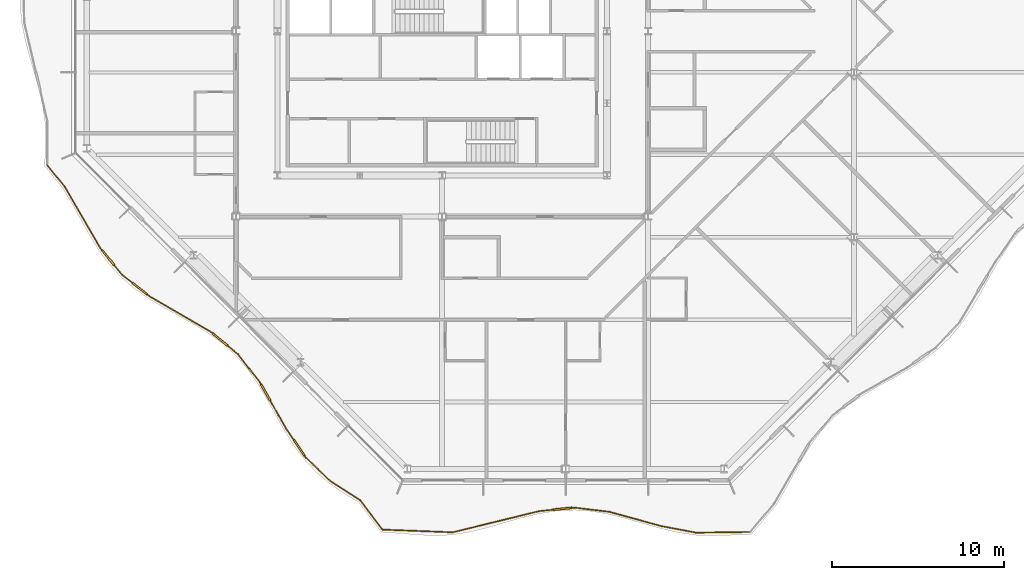
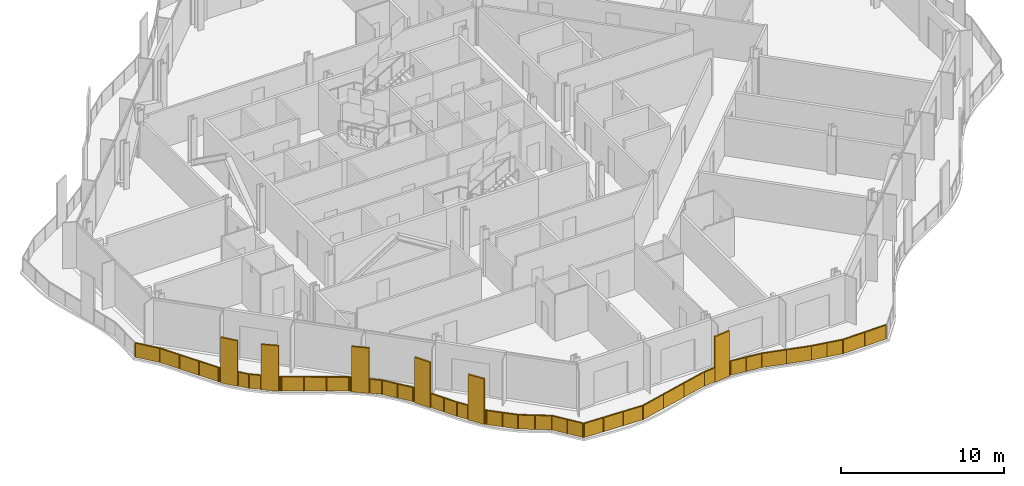
# One storey, part 13 of 17: 2 railings.
"""IFC4 building model written with IfcOpenShell, lengths in metres."""

import ifcopenshell
import ifcopenshell.guid

model = None  # the IFC model being written
_history = None  # IfcOwnerHistory: only IFC2X3 demands one
_inside = {}  # id of a spatial element -> (the spatial element, [elements in it])
_under = {}  # id of a project, library or spatial element -> (it, [spatial elements below it])
_declared = {}  # id of a project -> (the project, [libraries it declares])
_typed = {}  # id of a type object -> (the type object, [elements of that type])
_made_of = {}  # id of a material, layer set ... -> (it, [elements and type objects made of it])


def new_model(schema):
    """Start an empty IFC model of exactly this schema.

    Asked for "IFC4X3", IfcOpenShell would pick the latest addendum, in which some entities
    have other attributes; the version numbers below select the first issue.
    IFC2X3 requires an IfcOwnerHistory on every rooted entity: one is made here for all.
    """
    global model, _history
    if schema == "IFC4X3":
        model = ifcopenshell.file(schema_version=(4, 3, 0, 0))
    else:
        model = ifcopenshell.file(schema=schema)
    _inside.clear()
    _under.clear()
    _declared.clear()
    _typed.clear()
    _made_of.clear()
    _history = None
    if model.schema == "IFC2X3":
        org = make("IfcOrganization", Name="unknown")
        user = make(
            "IfcPersonAndOrganization",
            ThePerson=make("IfcPerson", FamilyName="unknown"),
            TheOrganization=org,
        )
        app = make(
            "IfcApplication",
            ApplicationDeveloper=org,
            Version="unknown",
            ApplicationFullName="unknown",
            ApplicationIdentifier="unknown",
        )
        _history = make(
            "IfcOwnerHistory",
            OwningUser=user,
            OwningApplication=app,
            ChangeAction="ADDED",
            CreationDate=0,
        )
    return model


def make(cls, **values):
    """One entity of the class cls with the attributes given. An attribute that is None is left unset."""
    return model.create_entity(
        cls, **{name: value for name, value in values.items() if value is not None}
    )


def rooted(cls, **values):
    """An entity with a GlobalId (a new one), such as an element, a storey or a relation."""
    return make(cls, GlobalId=ifcopenshell.guid.new(), OwnerHistory=_history, **values)


def si_unit(unit_type, name, prefix=None):
    """IfcSIUnit, for example si_unit("LENGTHUNIT", "METRE", prefix="MILLI")."""
    return make("IfcSIUnit", UnitType=unit_type, Prefix=prefix, Name=name)


def assignment(units):
    """IfcUnitAssignment: the units of a project."""
    return None if units is None else make("IfcUnitAssignment", Units=units)


def point(xyz):
    """IfcCartesianPoint."""
    return None if xyz is None else make("IfcCartesianPoint", Coordinates=xyz)


def direction(xyz):
    """IfcDirection."""
    return None if xyz is None else make("IfcDirection", DirectionRatios=xyz)


def frame(location, z_axis=None, x_axis=None):
    """IfcAxis2Placement3D, a coordinate frame: its origin and axes. An axis left out is left unset."""
    return make(
        "IfcAxis2Placement3D",
        Location=point(location),
        Axis=direction(z_axis),
        RefDirection=direction(x_axis),
    )


def frame_2d(location, x_axis=None):
    """IfcAxis2Placement2D, a coordinate frame in the plane: its origin and x axis."""
    return make(
        "IfcAxis2Placement2D", Location=point(location), RefDirection=direction(x_axis)
    )


def origin():
    """The frame at (0, 0, 0) with its axes left unset."""
    return frame((0.0, 0.0, 0.0))


def origin_2d():
    """The frame at (0, 0) in the plane with its x axis left unset."""
    return frame_2d((0.0, 0.0))


def place(relative_to, where):
    """IfcLocalPlacement: puts the frame where relative to a parent placement (None: the world)."""
    return make(
        "IfcLocalPlacement", PlacementRelTo=relative_to, RelativePlacement=where
    )


def context(
    kind, dimensions, precision=None, world=None, true_north=None, identifier=None
):
    """IfcGeometricRepresentationContext, for example the 3D "Model" context."""
    return make(
        "IfcGeometricRepresentationContext",
        ContextIdentifier=identifier,
        ContextType=kind,
        CoordinateSpaceDimension=dimensions,
        Precision=precision,
        WorldCoordinateSystem=world,
        TrueNorth=true_north,
    )


def subcontext(parent, identifier, kind, view, scale=None):
    """IfcGeometricRepresentationSubContext, for example "Body" below "Model"."""
    return make(
        "IfcGeometricRepresentationSubContext",
        ContextIdentifier=identifier,
        ContextType=kind,
        ParentContext=parent,
        TargetScale=scale,
        TargetView=view,
    )


def project(units=None, contexts=None):
    """IfcProject with its units and contexts."""
    return rooted(
        "IfcProject",
        Name="project",
        RepresentationContexts=contexts,
        UnitsInContext=assignment(units),
    )


def spatial(cls, under=None, at=None, **own):
    """A site, building, storey or space (cls), placed at a placement, below another one or the project."""
    s = rooted(cls, ObjectPlacement=at, **own)
    if under is not None:
        _under.setdefault(under.id(), (under, []))[1].append(s)
    return s


def polyline(points):
    """IfcPolyline through the points."""
    return make("IfcPolyline", Points=[point(p) for p in points])


def profile(cls, at=None, kind="AREA", **sizes):
    """A parametric profile (cls). Its sizes go by their IFC names, for example OverallWidth=200.0."""
    return make(cls, ProfileType=kind, Position=at, **sizes)


def rectangle(**sizes):
    """IfcRectangleProfileDef."""
    return profile("IfcRectangleProfileDef", **sizes)


def outline(outer, holes=None, kind="AREA"):
    """IfcArbitraryClosedProfileDef: a profile drawn as a closed curve; with holes, ...WithVoids."""
    if holes is None:
        return make("IfcArbitraryClosedProfileDef", ProfileType=kind, OuterCurve=outer)
    return make(
        "IfcArbitraryProfileDefWithVoids",
        ProfileType=kind,
        OuterCurve=outer,
        InnerCurves=holes,
    )


def extrude(swept, where, along, depth):
    """IfcExtrudedAreaSolid: the profile swept, set in the frame where, extruded along a direction by depth."""
    return make(
        "IfcExtrudedAreaSolid",
        SweptArea=swept,
        Position=where,
        ExtrudedDirection=direction(along),
        Depth=depth,
    )


def shape(context_of_items, identifier, shape_type, items):
    """IfcShapeRepresentation: the items that make up one representation, for example the "Body"."""
    return make(
        "IfcShapeRepresentation",
        ContextOfItems=context_of_items,
        RepresentationIdentifier=identifier,
        RepresentationType=shape_type,
        Items=items,
    )


def material(Name=None, Category=None):
    """IfcMaterial."""
    return make("IfcMaterial", Name=Name, Category=Category)


def made_of(thing, what):
    """Note that an element or type object is made of a material, layer set ...; save() writes the relation."""
    if what is not None:
        _made_of.setdefault(what.id(), (what, []))[1].append(thing)
    return thing


def type_object(cls, material=None, **own):
    """A type object (cls), such as IfcWallType, which elements share."""
    return made_of(rooted(cls, **own), material)


def element(
    cls,
    number,
    at=None,
    inside=None,
    cuts=None,
    type_object=None,
    material=None,
    context=None,
    identifier="Body",
    shape_type=None,
    held_by="IfcProductDefinitionShape",
    body=None,
    shapes=None,
    **own,
):
    """One element of the class cls, such as IfcWall. Its Tag is "e" and its number.

    at: its placement. inside: the storey or other place that contains it. cuts: it is an
    opening in that element (IfcRelVoidsElement). A single representation is given by context,
    identifier, shape_type and body (its items); several are given by shapes. held_by: the class
    of the entity that holds the representations. save() writes the other relations.
    """
    e = rooted(cls, Tag="e%d" % number, ObjectPlacement=at, **own)
    if body is not None:
        shapes = [shape(context, identifier, shape_type, body)]
    if shapes is not None:
        e.Representation = make(held_by, Representations=shapes)
    if inside is not None:
        _inside.setdefault(inside.id(), (inside, []))[1].append(e)
    if cuts is not None:
        rooted(
            "IfcRelVoidsElement", RelatingBuildingElement=cuts, RelatedOpeningElement=e
        )
    if type_object is not None:
        _typed.setdefault(type_object.id(), (type_object, []))[1].append(e)
    return made_of(e, material)


def aggregate(whole, parts):
    """IfcRelAggregates: a whole, such as a stair, and the parts it consists of."""
    return rooted("IfcRelAggregates", RelatingObject=whole, RelatedObjects=parts)


def save(model, path):
    """Write the relations noted so far, then the file.

    IfcRelAggregates (storeys below a building ...), IfcRelContainedInSpatialStructure (elements
    in a storey), IfcRelDefinesByType, IfcRelAssociatesMaterial and IfcRelDeclares: one each for
    every whole, place, type object, material and project.
    """
    for whole, parts in _under.values():
        aggregate(whole, parts)
    for where, things in _inside.values():
        rooted(
            "IfcRelContainedInSpatialStructure",
            RelatedElements=things,
            RelatingStructure=where,
        )
    for kind, things in _typed.values():
        rooted("IfcRelDefinesByType", RelatedObjects=things, RelatingType=kind)
    for what, things in _made_of.values():
        rooted("IfcRelAssociatesMaterial", RelatedObjects=things, RelatingMaterial=what)
    for by, libraries in _declared.values():
        rooted("IfcRelDeclares", RelatingContext=by, RelatedDefinitions=libraries)
    model.write(path)


model = new_model("IFC4")

# Units and contexts
model_context = context("Model", 3, precision=1e-05, world=origin(), true_north=direction((0.0, 1.0)))
body_context = subcontext(model_context, "Body", "Model", "MODEL_VIEW")
ifc_project = project(units=[si_unit("LENGTHUNIT", "METRE"), si_unit("AREAUNIT", "SQUARE_METRE"), si_unit("VOLUMEUNIT", "CUBIC_METRE"), si_unit("PLANEANGLEUNIT", "RADIAN"), si_unit("MASSUNIT", "GRAM", prefix="KILO")], contexts=[model_context])

# Site, building, storey
site_placement = place(None, origin())
site = spatial("IfcSite", under=ifc_project, at=site_placement, CompositionType="ELEMENT")
building_placement = place(site_placement, origin())
building = spatial("IfcBuilding", under=site, at=building_placement, Name="Cairn Pilgrim Tower", CompositionType="ELEMENT")
storey_placement = place(building_placement, frame((0.0, 0.0, 225.0)))
storey = spatial("IfcBuildingStorey", under=building, at=storey_placement, Name="L57", CompositionType="ELEMENT", Elevation=225.0)

# Railings
ifc_material = material(Name="Bronze anodised aluminium rail, posts and fin screens with laminated glass infill", Category="aluminium")
railing_type = type_object("IfcRailingType", Name="BALCONY GUARD WITH FIN SCREENS", PredefinedType="GUARDRAIL", material=ifc_material)
railing_1_placement = place(storey_placement, frame((3.72509765625, -26.633056640625, 0.0)))
element("IfcRailing", 1, at=railing_1_placement, inside=storey, type_object=railing_type, Name="Balcony guard BGF-1 with fin screens", PredefinedType="GUARDRAIL", context=body_context, shape_type="SweptSolid", body=[
    extrude(rectangle(XDim=0.050048828125, YDim=0.050048828125, at=origin_2d()), frame((0.0, 0.0, 1.0751953125), z_axis=(0.999278337435, -0.037984264288, 0.0), x_axis=(0.037984264288, 0.999278337435, 0.0)), (0.0, 0.0, 1.0), 4.09423828125),
    extrude(rectangle(XDim=0.050048828125, YDim=0.050048828125, at=origin_2d()), frame((4.09130859375, -0.155517578125, 1.0751953125), z_axis=(0.971320368438, 0.237774560997, 0.0), x_axis=(-0.237774560997, 0.971320368438, 0.0)), (0.0, 0.0, 1.0), 5.19140625),
    extrude(rectangle(XDim=1.10009765625, YDim=0.110107421875, at=origin_2d()), frame((10.4853515625, 1.213623046875, 0.0), z_axis=(0.0, 0.0, 1.0), x_axis=(0.995059478864, 0.099280579784, 0.0)), (0.0, 0.0, 1.0), 3.39990234375),
    extrude(rectangle(XDim=0.050048828125, YDim=0.050048828125, at=origin_2d()), frame((9.1337890625, 1.078857421875, 1.0751953125), z_axis=(0.995059478864, 0.099280579784, 0.0), x_axis=(-0.099280579784, 0.995059478864, 0.0)), (0.0, 0.0, 1.0), 0.80810546875),
    extrude(rectangle(XDim=0.050048828125, YDim=0.050048828125, at=origin_2d()), frame((11.032470703125, 1.268310546875, 1.0751953125), z_axis=(0.995059478864, 0.099280579784, 0.0), x_axis=(-0.099280579784, 0.995059478864, 0.0)), (0.0, 0.0, 1.0), 0.150146484375),
    extrude(rectangle(XDim=0.050048828125, YDim=0.050048828125, at=origin_2d()), frame((11.181884765625, 1.283203125, 1.0751953125), z_axis=(0.992676707489, -0.120801301352, 0.0), x_axis=(0.120801301352, 0.992676707489, 0.0)), (0.0, 0.0, 1.0), 2.0634765625),
    extrude(rectangle(XDim=0.050048828125, YDim=0.050048828125, at=origin_2d()), frame((13.230224609375, 1.033935546875, 1.0751953125), z_axis=(0.964288105644, -0.264855525358, 0.0), x_axis=(0.264855525358, 0.964288105644, 0.0)), (0.0, 0.0, 1.0), 3.14892578125),
    extrude(rectangle(XDim=0.050048828125, YDim=0.050048828125, at=origin_2d()), frame((16.2666015625, 0.199951171875, 1.0751953125), z_axis=(0.982592736091, -0.18577275091, 0.0), x_axis=(0.18577275091, 0.982592736091, 0.0)), (0.0, 0.0, 1.0), 2.03564453125),
    extrude(rectangle(XDim=0.050048828125, YDim=0.050048828125, at=origin_2d()), frame((18.266845703125, -0.17822265625, 1.0751953125), z_axis=(0.999910672549, 0.013365886551, 0.0), x_axis=(-0.013365886551, 0.999910672549, 0.0)), (0.0, 0.0, 1.0), 3.0869140625),
    extrude(rectangle(XDim=0.050048828125, YDim=0.050048828125, at=origin_2d()), origin(), (0.0, 0.0, 1.0), 1.050048828125),
    extrude(rectangle(XDim=0.050048828125, YDim=0.050048828125, at=origin_2d()), frame((1.36376953125, -0.0517578125, 0.0)), (0.0, 0.0, 1.0), 1.050048828125),
    extrude(rectangle(XDim=0.050048828125, YDim=0.050048828125, at=origin_2d()), frame((2.7275390625, -0.103759765625, 0.0)), (0.0, 0.0, 1.0), 1.050048828125),
    extrude(rectangle(XDim=0.050048828125, YDim=0.050048828125, at=origin_2d()), frame((4.09130859375, -0.155517578125, 0.0)), (0.0, 0.0, 1.0), 1.050048828125),
    extrude(rectangle(XDim=0.050048828125, YDim=0.050048828125, at=origin_2d()), frame((5.772216796875, 0.255859375, 0.0)), (0.0, 0.0, 1.0), 1.050048828125),
    extrude(rectangle(XDim=0.050048828125, YDim=0.050048828125, at=origin_2d()), frame((7.452880859375, 0.66748046875, 0.0)), (0.0, 0.0, 1.0), 1.050048828125),
    extrude(rectangle(XDim=0.050048828125, YDim=0.050048828125, at=origin_2d()), frame((9.1337890625, 1.078857421875, 0.0)), (0.0, 0.0, 1.0), 1.050048828125),
    extrude(rectangle(XDim=0.050048828125, YDim=0.050048828125, at=origin_2d()), frame((9.9130859375, 1.156494140625, 0.0)), (0.0, 0.0, 1.0), 1.050048828125),
    extrude(rectangle(XDim=0.050048828125, YDim=0.050048828125, at=origin_2d()), frame((11.057373046875, 1.270751953125, 0.0)), (0.0, 0.0, 1.0), 1.050048828125),
    extrude(rectangle(XDim=0.050048828125, YDim=0.050048828125, at=origin_2d()), frame((11.181884765625, 1.283203125, 0.0)), (0.0, 0.0, 1.0), 1.050048828125),
    extrude(rectangle(XDim=0.050048828125, YDim=0.050048828125, at=origin_2d()), frame((12.2060546875, 1.15869140625, 0.0)), (0.0, 0.0, 1.0), 1.050048828125),
    extrude(rectangle(XDim=0.050048828125, YDim=0.050048828125, at=origin_2d()), frame((13.230224609375, 1.033935546875, 0.0)), (0.0, 0.0, 1.0), 1.050048828125),
    extrude(rectangle(XDim=0.050048828125, YDim=0.050048828125, at=origin_2d()), frame((14.74853515625, 0.616943359375, 0.0)), (0.0, 0.0, 1.0), 1.050048828125),
    extrude(rectangle(XDim=0.050048828125, YDim=0.050048828125, at=origin_2d()), frame((16.2666015625, 0.199951171875, 0.0)), (0.0, 0.0, 1.0), 1.050048828125),
    extrude(rectangle(XDim=0.050048828125, YDim=0.050048828125, at=origin_2d()), frame((17.2666015625, 0.0107421875, 0.0)), (0.0, 0.0, 1.0), 1.050048828125),
    extrude(rectangle(XDim=0.050048828125, YDim=0.050048828125, at=origin_2d()), frame((18.266845703125, -0.17822265625, 0.0)), (0.0, 0.0, 1.0), 1.050048828125),
    extrude(rectangle(XDim=0.050048828125, YDim=0.050048828125, at=origin_2d()), frame((19.81005859375, -0.15771484375, 0.0)), (0.0, 0.0, 1.0), 1.050048828125),
    extrude(rectangle(XDim=0.050048828125, YDim=0.050048828125, at=origin_2d()), frame((21.353515625, -0.136962890625, 0.0)), (0.0, 0.0, 1.0), 1.050048828125),
    extrude(outline(polyline([(0.02490234375, 0.0), (1.33984375, 0.0), (1.33984375, 1.050048828125), (0.02490234375, 1.050048828125), (0.02490234375, 0.0)])), frame((0.000244140625, 0.005859375, 0.0), z_axis=(-0.037984264288, -0.999278337435, 0.0), x_axis=(0.999278337435, -0.037984264288, 0.0)), (0.0, 0.0, 1.0), 0.011962890625),
    extrude(outline(polyline([(0.02490234375, 0.0), (1.33984375, 0.0), (1.33984375, 1.050048828125), (0.02490234375, 1.050048828125), (0.02490234375, 0.0)])), frame((1.364013671875, -0.0458984375, 0.0), z_axis=(-0.037984264288, -0.999278337435, 0.0), x_axis=(0.999278337435, -0.037984264288, 0.0)), (0.0, 0.0, 1.0), 0.011962890625),
    extrude(outline(polyline([(0.02490234375, 0.0), (1.33984375, 0.0), (1.33984375, 1.050048828125), (0.02490234375, 1.050048828125), (0.02490234375, 0.0)])), frame((2.727783203125, -0.09765625, 0.0), z_axis=(-0.037984264288, -0.999278337435, 0.0), x_axis=(0.999278337435, -0.037984264288, 0.0)), (0.0, 0.0, 1.0), 0.011962890625),
    extrude(outline(polyline([(0.02490234375, 0.0), (1.705322265625, 0.0), (1.705322265625, 1.050048828125), (0.02490234375, 1.050048828125), (0.02490234375, 0.0)])), frame((4.08984375, -0.149658203125, 0.0), z_axis=(0.237774560997, -0.971320368438, 0.0), x_axis=(0.971320368438, 0.237774560997, 0.0)), (0.0, 0.0, 1.0), 0.011962890625),
    extrude(outline(polyline([(0.02490234375, 0.0), (1.705322265625, 0.0), (1.705322265625, 1.050048828125), (0.02490234375, 1.050048828125), (0.02490234375, 0.0)])), frame((5.770751953125, 0.26171875, 0.0), z_axis=(0.237774560997, -0.971320368438, 0.0), x_axis=(0.971320368438, 0.237774560997, 0.0)), (0.0, 0.0, 1.0), 0.011962890625),
    extrude(outline(polyline([(0.02490234375, 0.0), (1.705322265625, 0.0), (1.705322265625, 1.050048828125), (0.02490234375, 1.050048828125), (0.02490234375, 0.0)])), frame((7.45166015625, 0.673095703125, 0.0), z_axis=(0.237774560997, -0.971320368438, 0.0), x_axis=(0.971320368438, 0.237774560997, 0.0)), (0.0, 0.0, 1.0), 0.011962890625),
    extrude(outline(polyline([(0.02490234375, 0.0), (0.758056640625, 0.0), (0.758056640625, 1.050048828125), (0.02490234375, 1.050048828125), (0.02490234375, 0.0)])), frame((9.13330078125, 1.084716796875, 0.0), z_axis=(0.099280579784, -0.995059478864, 0.0), x_axis=(0.995059478864, 0.099280579784, 0.0)), (0.0, 0.0, 1.0), 0.011962890625),
    extrude(outline(polyline([(0.02490234375, 0.0), (0.10009765625, 0.0), (0.10009765625, 1.050048828125), (0.02490234375, 1.050048828125), (0.02490234375, 0.0)])), frame((11.056884765625, 1.27685546875, 0.0), z_axis=(0.099280579784, -0.995059478864, 0.0), x_axis=(0.995059478864, 0.099280579784, 0.0)), (0.0, 0.0, 1.0), 0.011962890625),
    extrude(outline(polyline([(0.02490234375, 0.0), (1.006591796875, 0.0), (1.006591796875, 1.050048828125), (0.02490234375, 1.050048828125), (0.02490234375, 0.0)])), frame((11.1826171875, 1.2890625, 0.0), z_axis=(-0.120801301352, -0.992676707489, 0.0), x_axis=(0.992676707489, -0.120801301352, 0.0)), (0.0, 0.0, 1.0), 0.011962890625),
    extrude(outline(polyline([(0.02490234375, 0.0), (1.006591796875, 0.0), (1.006591796875, 1.050048828125), (0.02490234375, 1.050048828125), (0.02490234375, 0.0)])), frame((12.206787109375, 1.16455078125, 0.0), z_axis=(-0.120801301352, -0.992676707489, 0.0), x_axis=(0.992676707489, -0.120801301352, 0.0)), (0.0, 0.0, 1.0), 0.011962890625),
    extrude(outline(polyline([(0.02490234375, 0.0), (1.54931640625, 0.0), (1.54931640625, 1.050048828125), (0.02490234375, 1.050048828125), (0.02490234375, 0.0)])), frame((13.231689453125, 1.039794921875, 0.0), z_axis=(-0.264855525358, -0.964288105644, 0.0), x_axis=(0.964288105644, -0.264855525358, 0.0)), (0.0, 0.0, 1.0), 0.011962890625),
    extrude(outline(polyline([(0.02490234375, 0.0), (1.54931640625, 0.0), (1.54931640625, 1.050048828125), (0.02490234375, 1.050048828125), (0.02490234375, 0.0)])), frame((14.75, 0.622802734375, 0.0), z_axis=(-0.264855525358, -0.964288105644, 0.0), x_axis=(0.964288105644, -0.264855525358, 0.0)), (0.0, 0.0, 1.0), 0.011962890625),
    extrude(outline(polyline([(0.02490234375, 0.0), (0.992919921875, 0.0), (0.992919921875, 1.050048828125), (0.02490234375, 1.050048828125), (0.02490234375, 0.0)])), frame((16.267822265625, 0.205810546875, 0.0), z_axis=(-0.18577275091, -0.982592736091, 0.0), x_axis=(0.982592736091, -0.18577275091, 0.0)), (0.0, 0.0, 1.0), 0.011962890625),
    extrude(outline(polyline([(0.02490234375, 0.0), (0.992919921875, 0.0), (0.992919921875, 1.050048828125), (0.02490234375, 1.050048828125), (0.02490234375, 0.0)])), frame((17.267822265625, 0.016845703125, 0.0), z_axis=(-0.18577275091, -0.982592736091, 0.0), x_axis=(0.982592736091, -0.18577275091, 0.0)), (0.0, 0.0, 1.0), 0.011962890625),
    extrude(outline(polyline([(0.02490234375, 0.0), (1.5185546875, 0.0), (1.5185546875, 1.050048828125), (0.02490234375, 1.050048828125), (0.02490234375, 0.0)])), frame((18.266845703125, -0.17236328125, 0.0), z_axis=(0.013365886551, -0.999910672549, 0.0), x_axis=(0.999910672549, 0.013365886551, 0.0)), (0.0, 0.0, 1.0), 0.011962890625),
    extrude(outline(polyline([(0.02490234375, 0.0), (1.5185546875, 0.0), (1.5185546875, 1.050048828125), (0.02490234375, 1.050048828125), (0.02490234375, 0.0)])), frame((19.81005859375, -0.151611328125, 0.0), z_axis=(0.013365886551, -0.999910672549, 0.0), x_axis=(0.999910672549, 0.013365886551, 0.0)), (0.0, 0.0, 1.0), 0.011962890625),
])
railing_2_placement = place(storey_placement, frame((-15.8134765625, -5.39501953125, 0.0)))
element("IfcRailing", 2, at=railing_2_placement, inside=storey, type_object=railing_type, Name="Balcony guard BGF-8 with fin screens", PredefinedType="GUARDRAIL", context=body_context, shape_type="SweptSolid", body=[
    extrude(rectangle(XDim=0.050048828125, YDim=0.050048828125, at=origin_2d()), frame((0.0, 0.0, 1.0751953125), z_axis=(0.631381027032, -0.775472758196, 0.0), x_axis=(0.775472758196, 0.631381027032, 0.0)), (0.0, 0.0, 1.0), 1.619873046875),
    extrude(rectangle(XDim=0.050048828125, YDim=0.050048828125, at=origin_2d()), frame((1.022705078125, -1.256103515625, 1.0751953125), z_axis=(0.502582725752, -0.864529122572, 0.0), x_axis=(0.864529122572, 0.502582725752, 0.0)), (0.0, 0.0, 1.0), 4.1611328125),
    extrude(rectangle(XDim=1.10009765625, YDim=0.110107421875, at=origin_2d()), frame((3.557373046875, -5.395263671875, 0.0), z_axis=(0.0, 0.0, 1.0), x_axis=(0.633217777186, -0.773973673102, 0.0)), (0.0, 0.0, 1.0), 3.39990234375),
    extrude(rectangle(XDim=0.050048828125, YDim=0.050048828125, at=origin_2d()), frame((3.114013671875, -4.853515625, 1.0751953125), z_axis=(0.633217777186, -0.773973673102, 0.0), x_axis=(0.773973673102, 0.633217777186, 0.0)), (0.0, 0.0, 1.0), 0.14990234375),
    extrude(rectangle(XDim=0.050048828125, YDim=0.050048828125, at=origin_2d()), frame((3.905517578125, -5.821044921875, 1.0751953125), z_axis=(0.633217777186, -0.773973673102, 0.0), x_axis=(0.773973673102, 0.633217777186, 0.0)), (0.0, 0.0, 1.0), 0.742919921875),
    extrude(rectangle(XDim=1.10009765625, YDim=0.110107421875, at=origin_2d()), frame((5.397705078125, -7.197998046875, 0.0), z_axis=(0.0, 0.0, 1.0), x_axis=(0.786661501029, -0.617384550179, 0.0)), (0.0, 0.0, 1.0), 3.39990234375),
    extrude(rectangle(XDim=0.050048828125, YDim=0.050048828125, at=origin_2d()), frame((4.3759765625, -6.39599609375, 1.0751953125), z_axis=(0.786661501029, -0.617384550179, 0.0), x_axis=(0.617384550179, 0.786661501029, 0.0)), (0.0, 0.0, 1.0), 0.748779296875),
    extrude(rectangle(XDim=0.050048828125, YDim=0.050048828125, at=origin_2d()), frame((5.830322265625, -7.537353515625, 1.0751953125), z_axis=(0.786661501029, -0.617384550179, 0.0), x_axis=(0.617384550179, 0.786661501029, 0.0)), (0.0, 0.0, 1.0), 0.150146484375),
    extrude(rectangle(XDim=0.050048828125, YDim=0.050048828125, at=origin_2d()), frame((5.948486328125, -7.630126953125, 1.0751953125), z_axis=(0.864435466148, -0.502743796446, 0.0), x_axis=(0.502743796446, 0.864435466148, 0.0)), (0.0, 0.0, 1.0), 4.16259765625),
    extrude(rectangle(XDim=1.10009765625, YDim=0.110107421875, at=origin_2d()), frame((10.086669921875, -10.168701171875, 0.0), z_axis=(0.0, 0.0, 1.0), x_axis=(0.770987182528, -0.63685066097, 0.0)), (0.0, 0.0, 1.0), 3.39990234375),
    extrude(rectangle(XDim=0.050048828125, YDim=0.050048828125, at=origin_2d()), frame((9.546875, -9.722900390625, 1.0751953125), z_axis=(0.770987182528, -0.63685066097, 0.0), x_axis=(0.63685066097, 0.770987182528, 0.0)), (0.0, 0.0, 1.0), 0.150146484375),
    extrude(rectangle(XDim=0.050048828125, YDim=0.050048828125, at=origin_2d()), frame((10.5107421875, -10.51904296875, 1.0751953125), z_axis=(0.770987182528, -0.63685066097, 0.0), x_axis=(0.63685066097, 0.770987182528, 0.0)), (0.0, 0.0, 1.0), 0.79931640625),
    extrude(rectangle(XDim=0.050048828125, YDim=0.050048828125, at=origin_2d()), frame((11.126953125, -11.028076171875, 1.0751953125), z_axis=(0.613808966745, -0.789454591692, 0.0), x_axis=(0.789454591692, 0.613808966745, 0.0)), (0.0, 0.0, 1.0), 2.054443359375),
    extrude(rectangle(XDim=1.10009765625, YDim=0.110107421875, at=origin_2d()), frame((12.73388671875, -13.25830078125, 0.0), z_axis=(0.0, 0.0, 1.0), x_axis=(0.494166005133, -0.86936756287, 0.0)), (0.0, 0.0, 1.0), 3.39990234375),
    extrude(rectangle(XDim=0.050048828125, YDim=0.050048828125, at=origin_2d()), frame((12.387939453125, -12.64990234375, 1.0751953125), z_axis=(0.494166005133, -0.86936756287, 0.0), x_axis=(0.86936756287, 0.494166005133, 0.0)), (0.0, 0.0, 1.0), 0.14990234375),
    extrude(rectangle(XDim=0.050048828125, YDim=0.050048828125, at=origin_2d()), frame((13.005615234375, -13.736572265625, 1.0751953125), z_axis=(0.494166005133, -0.86936756287, 0.0), x_axis=(0.86936756287, 0.494166005133, 0.0)), (0.0, 0.0, 1.0), 1.8837890625),
    extrude(rectangle(XDim=1.10009765625, YDim=0.110107421875, at=origin_2d()), frame((14.683837890625, -16.46826171875, 0.0), z_axis=(0.0, 0.0, 1.0), x_axis=(0.564069942549, -0.825727012949, 0.0)), (0.0, 0.0, 1.0), 3.39990234375),
    extrude(rectangle(XDim=0.050048828125, YDim=0.050048828125, at=origin_2d()), frame((13.9365234375, -15.374267578125, 1.0751953125), z_axis=(0.564069942549, -0.825727012949, 0.0), x_axis=(0.825727012949, 0.564069942549, 0.0)), (0.0, 0.0, 1.0), 0.774658203125),
    extrude(rectangle(XDim=0.050048828125, YDim=0.050048828125, at=origin_2d()), frame((14.994140625, -16.92236328125, 1.0751953125), z_axis=(0.564069942549, -0.825727012949, 0.0), x_axis=(0.825727012949, 0.564069942549, 0.0)), (0.0, 0.0, 1.0), 0.14990234375),
    extrude(rectangle(XDim=0.050048828125, YDim=0.050048828125, at=origin_2d()), frame((15.07861328125, -17.046142578125, 1.0751953125), z_axis=(0.721977947292, -0.691916066893, 0.0), x_axis=(0.691916066893, 0.721977947292, 0.0)), (0.0, 0.0, 1.0), 1.981689453125),
    extrude(rectangle(XDim=0.050048828125, YDim=0.050048828125, at=origin_2d()), frame((16.50927734375, -18.417236328125, 1.0751953125), z_axis=(0.841572758105, -0.540143770505, 0.0), x_axis=(0.540143770505, 0.841572758105, 0.0)), (0.0, 0.0, 1.0), 2.071044921875),
    extrude(rectangle(XDim=0.050048828125, YDim=0.050048828125, at=origin_2d()), frame((18.252197265625, -19.535888671875, 1.0751953125), z_axis=(0.602934684407, -0.797790552927, 0.0), x_axis=(0.797790552927, 0.602934684407, 0.0)), (0.0, 0.0, 1.0), 2.073486328125),
    extrude(rectangle(XDim=0.050048828125, YDim=0.050048828125, at=origin_2d()), origin(), (0.0, 0.0, 1.0), 1.050048828125),
    extrude(rectangle(XDim=0.050048828125, YDim=0.050048828125, at=origin_2d()), frame((1.022705078125, -1.256103515625, 0.0)), (0.0, 0.0, 1.0), 1.050048828125),
    extrude(rectangle(XDim=0.050048828125, YDim=0.050048828125, at=origin_2d()), frame((1.7197265625, -2.455322265625, 0.0)), (0.0, 0.0, 1.0), 1.050048828125),
    extrude(rectangle(XDim=0.050048828125, YDim=0.050048828125, at=origin_2d()), frame((2.4169921875, -3.654296875, 0.0)), (0.0, 0.0, 1.0), 1.050048828125),
    extrude(rectangle(XDim=0.050048828125, YDim=0.050048828125, at=origin_2d()), frame((3.114013671875, -4.853515625, 0.0)), (0.0, 0.0, 1.0), 1.050048828125),
    extrude(rectangle(XDim=0.050048828125, YDim=0.050048828125, at=origin_2d()), frame((3.193115234375, -4.9501953125, 0.0)), (0.0, 0.0, 1.0), 1.050048828125),
    extrude(rectangle(XDim=0.050048828125, YDim=0.050048828125, at=origin_2d()), frame((3.92138671875, -5.84033203125, 0.0)), (0.0, 0.0, 1.0), 1.050048828125),
    extrude(rectangle(XDim=0.050048828125, YDim=0.050048828125, at=origin_2d()), frame((4.3759765625, -6.39599609375, 0.0)), (0.0, 0.0, 1.0), 1.050048828125),
    extrude(rectangle(XDim=0.050048828125, YDim=0.050048828125, at=origin_2d()), frame((4.9453125, -6.8427734375, 0.0)), (0.0, 0.0, 1.0), 1.050048828125),
    extrude(rectangle(XDim=0.050048828125, YDim=0.050048828125, at=origin_2d()), frame((5.85009765625, -7.552978515625, 0.0)), (0.0, 0.0, 1.0), 1.050048828125),
    extrude(rectangle(XDim=0.050048828125, YDim=0.050048828125, at=origin_2d()), frame((5.948486328125, -7.630126953125, 0.0)), (0.0, 0.0, 1.0), 1.050048828125),
    extrude(rectangle(XDim=0.050048828125, YDim=0.050048828125, at=origin_2d()), frame((7.14794921875, -8.32763671875, 0.0)), (0.0, 0.0, 1.0), 1.050048828125),
    extrude(rectangle(XDim=0.050048828125, YDim=0.050048828125, at=origin_2d()), frame((8.347412109375, -9.025390625, 0.0)), (0.0, 0.0, 1.0), 1.050048828125),
    extrude(rectangle(XDim=0.050048828125, YDim=0.050048828125, at=origin_2d()), frame((9.546875, -9.722900390625, 0.0)), (0.0, 0.0, 1.0), 1.050048828125),
    extrude(rectangle(XDim=0.050048828125, YDim=0.050048828125, at=origin_2d()), frame((9.643310546875, -9.802490234375, 0.0)), (0.0, 0.0, 1.0), 1.050048828125),
    extrude(rectangle(XDim=0.050048828125, YDim=0.050048828125, at=origin_2d()), frame((10.530029296875, -10.534912109375, 0.0)), (0.0, 0.0, 1.0), 1.050048828125),
    extrude(rectangle(XDim=0.050048828125, YDim=0.050048828125, at=origin_2d()), frame((11.126953125, -11.028076171875, 0.0)), (0.0, 0.0, 1.0), 1.050048828125),
    extrude(rectangle(XDim=0.050048828125, YDim=0.050048828125, at=origin_2d()), frame((11.75732421875, -11.8388671875, 0.0)), (0.0, 0.0, 1.0), 1.050048828125),
    extrude(rectangle(XDim=0.050048828125, YDim=0.050048828125, at=origin_2d()), frame((12.387939453125, -12.64990234375, 0.0)), (0.0, 0.0, 1.0), 1.050048828125),
    extrude(rectangle(XDim=0.050048828125, YDim=0.050048828125, at=origin_2d()), frame((12.44970703125, -12.758544921875, 0.0)), (0.0, 0.0, 1.0), 1.050048828125),
    extrude(rectangle(XDim=0.050048828125, YDim=0.050048828125, at=origin_2d()), frame((13.01806640625, -13.75830078125, 0.0)), (0.0, 0.0, 1.0), 1.050048828125),
    extrude(rectangle(XDim=0.050048828125, YDim=0.050048828125, at=origin_2d()), frame((13.477294921875, -14.566162109375, 0.0)), (0.0, 0.0, 1.0), 1.050048828125),
    extrude(rectangle(XDim=0.050048828125, YDim=0.050048828125, at=origin_2d()), frame((13.9365234375, -15.374267578125, 0.0)), (0.0, 0.0, 1.0), 1.050048828125),
    extrude(rectangle(XDim=0.050048828125, YDim=0.050048828125, at=origin_2d()), frame((14.359375, -15.993408203125, 0.0)), (0.0, 0.0, 1.0), 1.050048828125),
    extrude(rectangle(XDim=0.050048828125, YDim=0.050048828125, at=origin_2d()), frame((15.008056640625, -16.94287109375, 0.0)), (0.0, 0.0, 1.0), 1.050048828125),
    extrude(rectangle(XDim=0.050048828125, YDim=0.050048828125, at=origin_2d()), frame((15.07861328125, -17.046142578125, 0.0)), (0.0, 0.0, 1.0), 1.050048828125),
    extrude(rectangle(XDim=0.050048828125, YDim=0.050048828125, at=origin_2d()), frame((15.7939453125, -17.731689453125, 0.0)), (0.0, 0.0, 1.0), 1.050048828125),
    extrude(rectangle(XDim=0.050048828125, YDim=0.050048828125, at=origin_2d()), frame((16.50927734375, -18.417236328125, 0.0)), (0.0, 0.0, 1.0), 1.050048828125),
    extrude(rectangle(XDim=0.050048828125, YDim=0.050048828125, at=origin_2d()), frame((17.380859375, -18.9765625, 0.0)), (0.0, 0.0, 1.0), 1.050048828125),
    extrude(rectangle(XDim=0.050048828125, YDim=0.050048828125, at=origin_2d()), frame((18.252197265625, -19.535888671875, 0.0)), (0.0, 0.0, 1.0), 1.050048828125),
    extrude(rectangle(XDim=0.050048828125, YDim=0.050048828125, at=origin_2d()), frame((18.87744140625, -20.363037109375, 0.0)), (0.0, 0.0, 1.0), 1.050048828125),
    extrude(rectangle(XDim=0.050048828125, YDim=0.050048828125, at=origin_2d()), frame((19.50244140625, -21.190185546875, 0.0)), (0.0, 0.0, 1.0), 1.050048828125),
    extrude(outline(polyline([(0.02490234375, 0.0), (1.5947265625, 0.0), (1.5947265625, 1.050048828125), (0.02490234375, 1.050048828125), (0.02490234375, 0.0)])), frame((0.004638671875, 0.003662109375, 0.0), z_axis=(-0.775472758196, -0.631381027032, 0.0), x_axis=(0.631381027032, -0.775472758196, 0.0)), (0.0, 0.0, 1.0), 0.011962890625),
    extrude(outline(polyline([(0.02490234375, 0.0), (1.362060546875, 0.0), (1.362060546875, 1.050048828125), (0.02490234375, 1.050048828125), (0.02490234375, 0.0)])), frame((1.02783203125, -1.253173828125, 0.0), z_axis=(-0.864529122572, -0.502582725752, 0.0), x_axis=(0.502582725752, -0.864529122572, 0.0)), (0.0, 0.0, 1.0), 0.011962890625),
    extrude(outline(polyline([(0.02490234375, 0.0), (1.362060546875, 0.0), (1.362060546875, 1.050048828125), (0.02490234375, 1.050048828125), (0.02490234375, 0.0)])), frame((1.72509765625, -2.4521484375, 0.0), z_axis=(-0.864529122572, -0.502582725752, 0.0), x_axis=(0.502582725752, -0.864529122572, 0.0)), (0.0, 0.0, 1.0), 0.011962890625),
    extrude(outline(polyline([(0.02490234375, 0.0), (1.362060546875, 0.0), (1.362060546875, 1.050048828125), (0.02490234375, 1.050048828125), (0.02490234375, 0.0)])), frame((2.422119140625, -3.6513671875, 0.0), z_axis=(-0.864529122572, -0.502582725752, 0.0), x_axis=(0.502582725752, -0.864529122572, 0.0)), (0.0, 0.0, 1.0), 0.011962890625),
    extrude(outline(polyline([(0.02490234375, 0.0), (0.099853515625, 0.0), (0.099853515625, 1.050048828125), (0.02490234375, 1.050048828125), (0.02490234375, 0.0)])), frame((3.11865234375, -4.849609375, 0.0), z_axis=(-0.773973673102, -0.633217777186, 0.0), x_axis=(0.633217777186, -0.773973673102, 0.0)), (0.0, 0.0, 1.0), 0.011962890625),
    extrude(outline(polyline([(0.02490234375, 0.0), (0.69287109375, 0.0), (0.69287109375, 1.050048828125), (0.02490234375, 1.050048828125), (0.02490234375, 0.0)])), frame((3.926025390625, -5.836669921875, 0.0), z_axis=(-0.773973673102, -0.633217777186, 0.0), x_axis=(0.633217777186, -0.773973673102, 0.0)), (0.0, 0.0, 1.0), 0.011962890625),
    extrude(outline(polyline([(0.02490234375, 0.0), (0.69873046875, 0.0), (0.69873046875, 1.050048828125), (0.02490234375, 1.050048828125), (0.02490234375, 0.0)])), frame((4.379638671875, -6.391357421875, 0.0), z_axis=(-0.617384550179, -0.786661501029, 0.0), x_axis=(0.786661501029, -0.617384550179, 0.0)), (0.0, 0.0, 1.0), 0.011962890625),
    extrude(outline(polyline([(0.02490234375, 0.0), (0.10009765625, 0.0), (0.10009765625, 1.050048828125), (0.02490234375, 1.050048828125), (0.02490234375, 0.0)])), frame((5.853759765625, -7.548095703125, 0.0), z_axis=(-0.617384550179, -0.786661501029, 0.0), x_axis=(0.786661501029, -0.617384550179, 0.0)), (0.0, 0.0, 1.0), 0.011962890625),
    extrude(outline(polyline([(0.02490234375, 0.0), (1.362548828125, 0.0), (1.362548828125, 1.050048828125), (0.02490234375, 1.050048828125), (0.02490234375, 0.0)])), frame((5.951416015625, -7.625, 0.0), z_axis=(-0.502743796446, -0.864435466148, 0.0), x_axis=(0.864435466148, -0.502743796446, 0.0)), (0.0, 0.0, 1.0), 0.011962890625),
    extrude(outline(polyline([(0.02490234375, 0.0), (1.362548828125, 0.0), (1.362548828125, 1.050048828125), (0.02490234375, 1.050048828125), (0.02490234375, 0.0)])), frame((7.15087890625, -8.322509765625, 0.0), z_axis=(-0.502743796446, -0.864435466148, 0.0), x_axis=(0.864435466148, -0.502743796446, 0.0)), (0.0, 0.0, 1.0), 0.011962890625),
    extrude(outline(polyline([(0.02490234375, 0.0), (1.362548828125, 0.0), (1.362548828125, 1.050048828125), (0.02490234375, 1.050048828125), (0.02490234375, 0.0)])), frame((8.350341796875, -9.02001953125, 0.0), z_axis=(-0.502743796446, -0.864435466148, 0.0), x_axis=(0.864435466148, -0.502743796446, 0.0)), (0.0, 0.0, 1.0), 0.011962890625),
    extrude(outline(polyline([(0.02490234375, 0.0), (0.10009765625, 0.0), (0.10009765625, 1.050048828125), (0.02490234375, 1.050048828125), (0.02490234375, 0.0)])), frame((9.55078125, -9.71826171875, 0.0), z_axis=(-0.63685066097, -0.770987182528, 0.0), x_axis=(0.770987182528, -0.63685066097, 0.0)), (0.0, 0.0, 1.0), 0.011962890625),
    extrude(outline(polyline([(0.02490234375, 0.0), (0.749267578125, 0.0), (0.749267578125, 1.050048828125), (0.02490234375, 1.050048828125), (0.02490234375, 0.0)])), frame((10.53369140625, -10.5302734375, 0.0), z_axis=(-0.63685066097, -0.770987182528, 0.0), x_axis=(0.770987182528, -0.63685066097, 0.0)), (0.0, 0.0, 1.0), 0.011962890625),
    extrude(outline(polyline([(0.02490234375, 0.0), (1.002197265625, 0.0), (1.002197265625, 1.050048828125), (0.02490234375, 1.050048828125), (0.02490234375, 0.0)])), frame((11.131591796875, -11.0244140625, 0.0), z_axis=(-0.789454591692, -0.613808966745, 0.0), x_axis=(0.613808966745, -0.789454591692, 0.0)), (0.0, 0.0, 1.0), 0.011962890625),
    extrude(outline(polyline([(0.02490234375, 0.0), (1.002197265625, 0.0), (1.002197265625, 1.050048828125), (0.02490234375, 1.050048828125), (0.02490234375, 0.0)])), frame((11.76220703125, -11.835205078125, 0.0), z_axis=(-0.789454591692, -0.613808966745, 0.0), x_axis=(0.613808966745, -0.789454591692, 0.0)), (0.0, 0.0, 1.0), 0.011962890625),
    extrude(outline(polyline([(0.02490234375, 0.0), (0.099853515625, 0.0), (0.099853515625, 1.050048828125), (0.02490234375, 1.050048828125), (0.02490234375, 0.0)])), frame((12.39306640625, -12.64697265625, 0.0), z_axis=(-0.86936756287, -0.494166005133, 0.0), x_axis=(0.494166005133, -0.86936756287, 0.0)), (0.0, 0.0, 1.0), 0.011962890625),
    extrude(outline(polyline([(0.02490234375, 0.0), (0.904296875, 0.0), (0.904296875, 1.050048828125), (0.02490234375, 1.050048828125), (0.02490234375, 0.0)])), frame((13.023193359375, -13.75537109375, 0.0), z_axis=(-0.86936756287, -0.494166005133, 0.0), x_axis=(0.494166005133, -0.86936756287, 0.0)), (0.0, 0.0, 1.0), 0.011962890625),
    extrude(outline(polyline([(0.02490234375, 0.0), (0.904296875, 0.0), (0.904296875, 1.050048828125), (0.02490234375, 1.050048828125), (0.02490234375, 0.0)])), frame((13.482421875, -14.563232421875, 0.0), z_axis=(-0.86936756287, -0.494166005133, 0.0), x_axis=(0.494166005133, -0.86936756287, 0.0)), (0.0, 0.0, 1.0), 0.011962890625),
    extrude(outline(polyline([(0.02490234375, 0.0), (0.724609375, 0.0), (0.724609375, 1.050048828125), (0.02490234375, 1.050048828125), (0.02490234375, 0.0)])), frame((13.94140625, -15.370849609375, 0.0), z_axis=(-0.825727012949, -0.564069942549, 0.0), x_axis=(0.564069942549, -0.825727012949, 0.0)), (0.0, 0.0, 1.0), 0.011962890625),
    extrude(outline(polyline([(0.02490234375, 0.0), (0.099853515625, 0.0), (0.099853515625, 1.050048828125), (0.02490234375, 1.050048828125), (0.02490234375, 0.0)])), frame((15.01318359375, -16.939697265625, 0.0), z_axis=(-0.825727012949, -0.564069942549, 0.0), x_axis=(0.564069942549, -0.825727012949, 0.0)), (0.0, 0.0, 1.0), 0.011962890625),
    extrude(outline(polyline([(0.02490234375, 0.0), (0.9658203125, 0.0), (0.9658203125, 1.050048828125), (0.02490234375, 1.050048828125), (0.02490234375, 0.0)])), frame((15.082763671875, -17.041748046875, 0.0), z_axis=(-0.691916066893, -0.721977947292, 0.0), x_axis=(0.721977947292, -0.691916066893, 0.0)), (0.0, 0.0, 1.0), 0.011962890625),
    extrude(outline(polyline([(0.02490234375, 0.0), (0.9658203125, 0.0), (0.9658203125, 1.050048828125), (0.02490234375, 1.050048828125), (0.02490234375, 0.0)])), frame((15.798095703125, -17.727294921875, 0.0), z_axis=(-0.691916066893, -0.721977947292, 0.0), x_axis=(0.721977947292, -0.691916066893, 0.0)), (0.0, 0.0, 1.0), 0.011962890625),
    extrude(outline(polyline([(0.02490234375, 0.0), (1.010498046875, 0.0), (1.010498046875, 1.050048828125), (0.02490234375, 1.050048828125), (0.02490234375, 0.0)])), frame((16.512451171875, -18.412109375, 0.0), z_axis=(-0.540143770505, -0.841572758105, 0.0), x_axis=(0.841572758105, -0.540143770505, 0.0)), (0.0, 0.0, 1.0), 0.011962890625),
    extrude(outline(polyline([(0.02490234375, 0.0), (1.010498046875, 0.0), (1.010498046875, 1.050048828125), (0.02490234375, 1.050048828125), (0.02490234375, 0.0)])), frame((17.384033203125, -18.971435546875, 0.0), z_axis=(-0.540143770505, -0.841572758105, 0.0), x_axis=(0.841572758105, -0.540143770505, 0.0)), (0.0, 0.0, 1.0), 0.011962890625),
    extrude(outline(polyline([(0.02490234375, 0.0), (1.01171875, 0.0), (1.01171875, 1.050048828125), (0.02490234375, 1.050048828125), (0.02490234375, 0.0)])), frame((18.257080078125, -19.5322265625, 0.0), z_axis=(-0.797790552927, -0.602934684407, 0.0), x_axis=(0.602934684407, -0.797790552927, 0.0)), (0.0, 0.0, 1.0), 0.011962890625),
    extrude(outline(polyline([(0.02490234375, 0.0), (1.01171875, 0.0), (1.01171875, 1.050048828125), (0.02490234375, 1.050048828125), (0.02490234375, 0.0)])), frame((18.882080078125, -20.359375, 0.0), z_axis=(-0.797790552927, -0.602934684407, 0.0), x_axis=(0.602934684407, -0.797790552927, 0.0)), (0.0, 0.0, 1.0), 0.011962890625),
])

save(model, "model.ifc")
